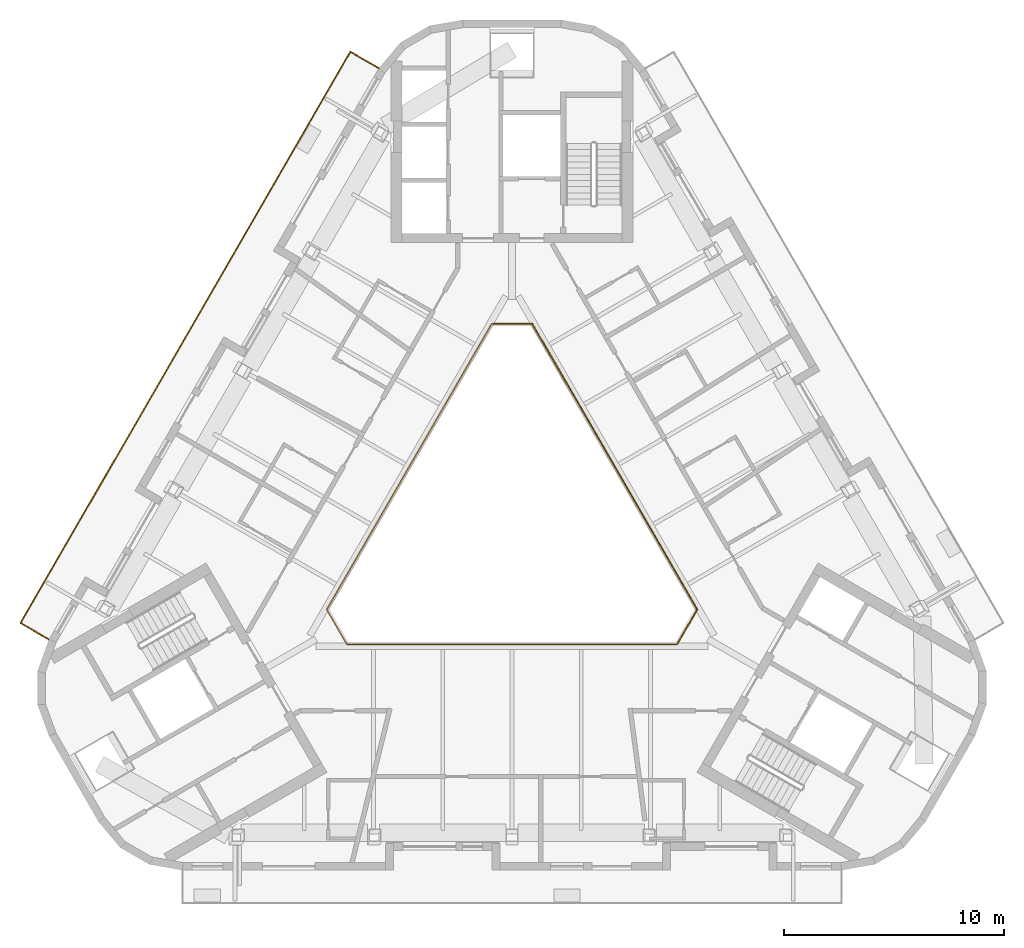
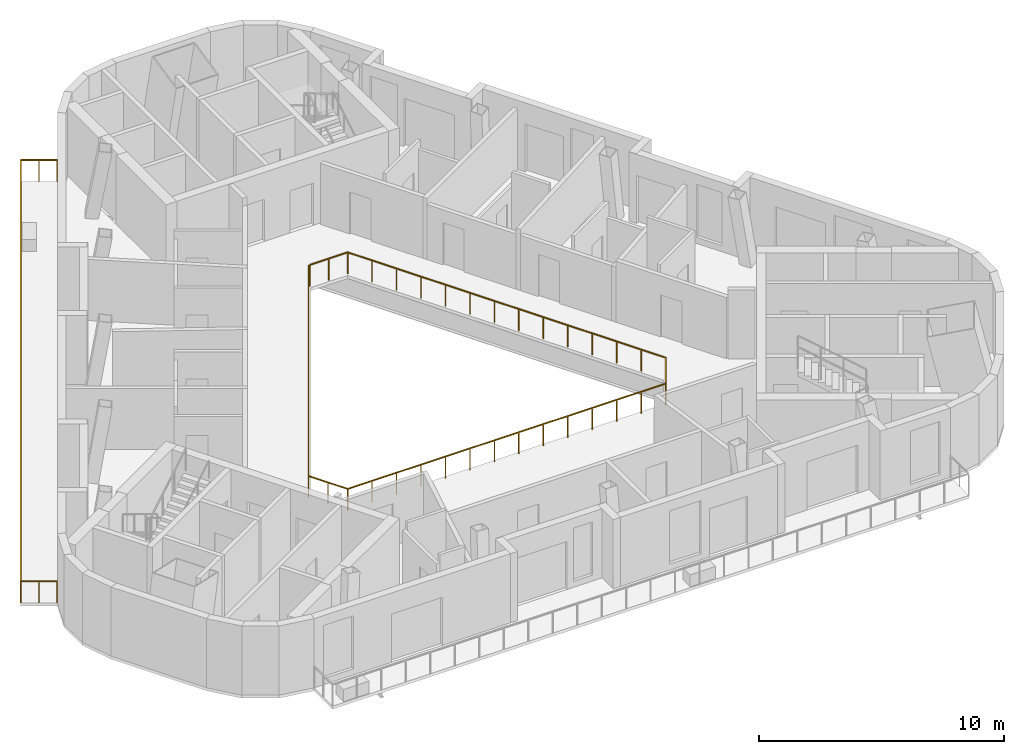
# One storey, part 9 of 11: 3 railings.
"""IFC4 building model written with IfcOpenShell, lengths in metres."""

from ifc_helpers import new_model, si_unit, direction, frame, origin, origin_2d, place, context, subcontext, project, spatial, rectangle, extrude, material, type_object, element, save


model = new_model("IFC4")

# Units and contexts
model_context = context("Model", 3, precision=1e-05, world=origin(), true_north=direction((0.0, 1.0)))
body_context = subcontext(model_context, "Body", "Model", "MODEL_VIEW")
ifc_project = project(units=[si_unit("LENGTHUNIT", "METRE"), si_unit("AREAUNIT", "SQUARE_METRE"), si_unit("VOLUMEUNIT", "CUBIC_METRE"), si_unit("PLANEANGLEUNIT", "RADIAN"), si_unit("MASSUNIT", "GRAM", prefix="KILO")], contexts=[model_context])

# Site, building, storey
site_placement = place(None, origin())
site = spatial("IfcSite", under=ifc_project, at=site_placement, CompositionType="ELEMENT")
building_placement = place(site_placement, origin())
building = spatial("IfcBuilding", under=site, at=building_placement, Name="Apuvela Tower Hotel", CompositionType="ELEMENT")
storey_placement = place(building_placement, frame((0.0, 0.0, 328.10009765625)))
storey = spatial("IfcBuildingStorey", under=building, at=storey_placement, Name="L82", CompositionType="ELEMENT", Elevation=328.10009765625)

# Railings
ifc_material = material(Name="Stainless steel 316 rail with laminated glass infill", Category="steel")
railing_type = type_object("IfcRailingType", Name="ENV-GUARD-1100", PredefinedType="GUARDRAIL", material=ifc_material)
railing_1_placement = place(storey_placement, frame((-6.056884765625, 20.830078125, 0.0)))
element("IfcRailing", 1, at=railing_1_placement, inside=storey, type_object=railing_type, Name="Balcony guard NW L82", PredefinedType="GUARDRAIL", context=body_context, shape_type="SweptSolid", body=[
    extrude(rectangle(XDim=0.050048828125, YDim=0.050048828125, at=origin_2d()), frame((0.0, 0.0, 1.0751953125), z_axis=(-0.866031096941, 0.499990139034, 0.0), x_axis=(-0.499990139034, -0.866031096941, 0.0)), (0.0, 0.0, 1.0), 1.5),
    extrude(rectangle(XDim=0.050048828125, YDim=0.050048828125, at=origin_2d()), frame((-1.299072265625, 0.75, 1.0751953125), z_axis=(-0.499994407638, -0.866028632512, 0.0), x_axis=(0.866028632512, -0.499994407638, 0.0)), (0.0, 0.0, 1.0), 30.021728515625),
    extrude(rectangle(XDim=0.050048828125, YDim=0.050048828125, at=origin_2d()), frame((-16.309814453125, -25.249755859375, 1.0751953125), z_axis=(0.866031096941, -0.499990139034, 0.0), x_axis=(0.499990139034, 0.866031096941, 0.0)), (0.0, 0.0, 1.0), 1.5),
    extrude(rectangle(XDim=0.0400390625, YDim=0.0400390625, at=origin_2d()), origin(), (0.0, 0.0, 1.0), 1.050048828125),
    extrude(rectangle(XDim=0.0400390625, YDim=0.0400390625, at=origin_2d()), frame((-0.6494140625, 0.375, 0.0)), (0.0, 0.0, 1.0), 1.050048828125),
    extrude(rectangle(XDim=0.0400390625, YDim=0.0400390625, at=origin_2d()), frame((-1.299072265625, 0.75, 0.0)), (0.0, 0.0, 1.0), 1.050048828125),
    extrude(rectangle(XDim=0.0400390625, YDim=0.0400390625, at=origin_2d()), frame((-1.87646484375, -0.25, 0.0)), (0.0, 0.0, 1.0), 1.050048828125),
    extrude(rectangle(XDim=0.0400390625, YDim=0.0400390625, at=origin_2d()), frame((-2.453857421875, -1.25, 0.0)), (0.0, 0.0, 1.0), 1.050048828125),
    extrude(rectangle(XDim=0.0400390625, YDim=0.0400390625, at=origin_2d()), frame((-3.031005859375, -2.25, 0.0)), (0.0, 0.0, 1.0), 1.050048828125),
    extrude(rectangle(XDim=0.0400390625, YDim=0.0400390625, at=origin_2d()), frame((-3.6083984375, -3.25, 0.0)), (0.0, 0.0, 1.0), 1.050048828125),
    extrude(rectangle(XDim=0.0400390625, YDim=0.0400390625, at=origin_2d()), frame((-4.185791015625, -4.25, 0.0)), (0.0, 0.0, 1.0), 1.050048828125),
    extrude(rectangle(XDim=0.0400390625, YDim=0.0400390625, at=origin_2d()), frame((-4.76318359375, -5.25, 0.0)), (0.0, 0.0, 1.0), 1.050048828125),
    extrude(rectangle(XDim=0.0400390625, YDim=0.0400390625, at=origin_2d()), frame((-5.34033203125, -6.25, 0.0)), (0.0, 0.0, 1.0), 1.050048828125),
    extrude(rectangle(XDim=0.0400390625, YDim=0.0400390625, at=origin_2d()), frame((-5.917724609375, -7.25, 0.0)), (0.0, 0.0, 1.0), 1.050048828125),
    extrude(rectangle(XDim=0.0400390625, YDim=0.0400390625, at=origin_2d()), frame((-6.4951171875, -8.25, 0.0)), (0.0, 0.0, 1.0), 1.050048828125),
    extrude(rectangle(XDim=0.0400390625, YDim=0.0400390625, at=origin_2d()), frame((-7.072509765625, -9.25, 0.0)), (0.0, 0.0, 1.0), 1.050048828125),
    extrude(rectangle(XDim=0.0400390625, YDim=0.0400390625, at=origin_2d()), frame((-7.649658203125, -10.25, 0.0)), (0.0, 0.0, 1.0), 1.050048828125),
    extrude(rectangle(XDim=0.0400390625, YDim=0.0400390625, at=origin_2d()), frame((-8.22705078125, -11.25, 0.0)), (0.0, 0.0, 1.0), 1.050048828125),
    extrude(rectangle(XDim=0.0400390625, YDim=0.0400390625, at=origin_2d()), frame((-8.804443359375, -12.25, 0.0)), (0.0, 0.0, 1.0), 1.050048828125),
    extrude(rectangle(XDim=0.0400390625, YDim=0.0400390625, at=origin_2d()), frame((-9.3818359375, -13.249755859375, 0.0)), (0.0, 0.0, 1.0), 1.050048828125),
    extrude(rectangle(XDim=0.0400390625, YDim=0.0400390625, at=origin_2d()), frame((-9.959228515625, -14.249755859375, 0.0)), (0.0, 0.0, 1.0), 1.050048828125),
    extrude(rectangle(XDim=0.0400390625, YDim=0.0400390625, at=origin_2d()), frame((-10.536376953125, -15.249755859375, 0.0)), (0.0, 0.0, 1.0), 1.050048828125),
    extrude(rectangle(XDim=0.0400390625, YDim=0.0400390625, at=origin_2d()), frame((-11.11376953125, -16.249755859375, 0.0)), (0.0, 0.0, 1.0), 1.050048828125),
    extrude(rectangle(XDim=0.0400390625, YDim=0.0400390625, at=origin_2d()), frame((-11.691162109375, -17.249755859375, 0.0)), (0.0, 0.0, 1.0), 1.050048828125),
    extrude(rectangle(XDim=0.0400390625, YDim=0.0400390625, at=origin_2d()), frame((-12.2685546875, -18.249755859375, 0.0)), (0.0, 0.0, 1.0), 1.050048828125),
    extrude(rectangle(XDim=0.0400390625, YDim=0.0400390625, at=origin_2d()), frame((-12.845703125, -19.249755859375, 0.0)), (0.0, 0.0, 1.0), 1.050048828125),
    extrude(rectangle(XDim=0.0400390625, YDim=0.0400390625, at=origin_2d()), frame((-13.423095703125, -20.249755859375, 0.0)), (0.0, 0.0, 1.0), 1.050048828125),
    extrude(rectangle(XDim=0.0400390625, YDim=0.0400390625, at=origin_2d()), frame((-14.00048828125, -21.249755859375, 0.0)), (0.0, 0.0, 1.0), 1.050048828125),
    extrude(rectangle(XDim=0.0400390625, YDim=0.0400390625, at=origin_2d()), frame((-14.577880859375, -22.249755859375, 0.0)), (0.0, 0.0, 1.0), 1.050048828125),
    extrude(rectangle(XDim=0.0400390625, YDim=0.0400390625, at=origin_2d()), frame((-15.155029296875, -23.249755859375, 0.0)), (0.0, 0.0, 1.0), 1.050048828125),
    extrude(rectangle(XDim=0.0400390625, YDim=0.0400390625, at=origin_2d()), frame((-15.732421875, -24.249755859375, 0.0)), (0.0, 0.0, 1.0), 1.050048828125),
    extrude(rectangle(XDim=0.0400390625, YDim=0.0400390625, at=origin_2d()), frame((-16.309814453125, -25.249755859375, 0.0)), (0.0, 0.0, 1.0), 1.050048828125),
    extrude(rectangle(XDim=0.0400390625, YDim=0.0400390625, at=origin_2d()), frame((-15.66015625, -25.624755859375, 0.0)), (0.0, 0.0, 1.0), 1.050048828125),
    extrude(rectangle(XDim=0.0400390625, YDim=0.0400390625, at=origin_2d()), frame((-15.0107421875, -25.999755859375, 0.0)), (0.0, 0.0, 1.0), 1.050048828125),
])
railing_2_placement = place(storey_placement, frame((-0.923828125, 9.199951171875, 0.0)))
element("IfcRailing", 2, at=railing_2_placement, inside=storey, type_object=railing_type, Name="Atrium void guard A L82", PredefinedType="GUARDRAIL", context=body_context, shape_type="SweptSolid", body=[
    extrude(rectangle(XDim=0.050048828125, YDim=0.050048828125, at=origin_2d()), frame((0.0, 0.0, 1.0751953125), z_axis=(-0.499990886379, -0.866030665472, 0.0), x_axis=(0.866030665472, -0.499990886379, 0.0)), (0.0, 0.0, 1.0), 15.010986328125),
    extrude(rectangle(XDim=0.050048828125, YDim=0.050048828125, at=origin_2d()), frame((-7.50537109375, -13.0, 1.0751953125), z_axis=(0.499962699187, -0.866046938348, 0.0), x_axis=(0.866046938348, 0.499962699187, 0.0)), (0.0, 0.0, 1.0), 1.847412109375),
    extrude(rectangle(XDim=0.050048828125, YDim=0.050048828125, at=origin_2d()), frame((-6.581787109375, -14.599853515625, 1.0751953125), z_axis=(1.0, 0.0, 0.0), x_axis=(0.0, 1.0, 0.0)), (0.0, 0.0, 1.0), 15.01123046875),
    extrude(rectangle(XDim=0.0400390625, YDim=0.0400390625, at=origin_2d()), origin(), (0.0, 0.0, 1.0), 1.050048828125),
    extrude(rectangle(XDim=0.0400390625, YDim=0.0400390625, at=origin_2d()), frame((-0.577392578125, -1.0, 0.0)), (0.0, 0.0, 1.0), 1.050048828125),
    extrude(rectangle(XDim=0.0400390625, YDim=0.0400390625, at=origin_2d()), frame((-1.15478515625, -2.0, 0.0)), (0.0, 0.0, 1.0), 1.050048828125),
    extrude(rectangle(XDim=0.0400390625, YDim=0.0400390625, at=origin_2d()), frame((-1.73193359375, -3.0, 0.0)), (0.0, 0.0, 1.0), 1.050048828125),
    extrude(rectangle(XDim=0.0400390625, YDim=0.0400390625, at=origin_2d()), frame((-2.309326171875, -4.0, 0.0)), (0.0, 0.0, 1.0), 1.050048828125),
    extrude(rectangle(XDim=0.0400390625, YDim=0.0400390625, at=origin_2d()), frame((-2.88671875, -5.0, 0.0)), (0.0, 0.0, 1.0), 1.050048828125),
    extrude(rectangle(XDim=0.0400390625, YDim=0.0400390625, at=origin_2d()), frame((-3.464111328125, -6.0, 0.0)), (0.0, 0.0, 1.0), 1.050048828125),
    extrude(rectangle(XDim=0.0400390625, YDim=0.0400390625, at=origin_2d()), frame((-4.041259765625, -7.0, 0.0)), (0.0, 0.0, 1.0), 1.050048828125),
    extrude(rectangle(XDim=0.0400390625, YDim=0.0400390625, at=origin_2d()), frame((-4.61865234375, -8.0, 0.0)), (0.0, 0.0, 1.0), 1.050048828125),
    extrude(rectangle(XDim=0.0400390625, YDim=0.0400390625, at=origin_2d()), frame((-5.196044921875, -9.0, 0.0)), (0.0, 0.0, 1.0), 1.050048828125),
    extrude(rectangle(XDim=0.0400390625, YDim=0.0400390625, at=origin_2d()), frame((-5.7734375, -10.0, 0.0)), (0.0, 0.0, 1.0), 1.050048828125),
    extrude(rectangle(XDim=0.0400390625, YDim=0.0400390625, at=origin_2d()), frame((-6.3505859375, -11.0, 0.0)), (0.0, 0.0, 1.0), 1.050048828125),
    extrude(rectangle(XDim=0.0400390625, YDim=0.0400390625, at=origin_2d()), frame((-6.927978515625, -12.0, 0.0)), (0.0, 0.0, 1.0), 1.050048828125),
    extrude(rectangle(XDim=0.0400390625, YDim=0.0400390625, at=origin_2d()), frame((-7.50537109375, -13.0, 0.0)), (0.0, 0.0, 1.0), 1.050048828125),
    extrude(rectangle(XDim=0.0400390625, YDim=0.0400390625, at=origin_2d()), frame((-7.04345703125, -13.7998046875, 0.0)), (0.0, 0.0, 1.0), 1.050048828125),
    extrude(rectangle(XDim=0.0400390625, YDim=0.0400390625, at=origin_2d()), frame((-6.581787109375, -14.599853515625, 0.0)), (0.0, 0.0, 1.0), 1.050048828125),
    extrude(rectangle(XDim=0.0400390625, YDim=0.0400390625, at=origin_2d()), frame((-5.427001953125, -14.599853515625, 0.0)), (0.0, 0.0, 1.0), 1.050048828125),
    extrude(rectangle(XDim=0.0400390625, YDim=0.0400390625, at=origin_2d()), frame((-4.2724609375, -14.599853515625, 0.0)), (0.0, 0.0, 1.0), 1.050048828125),
    extrude(rectangle(XDim=0.0400390625, YDim=0.0400390625, at=origin_2d()), frame((-3.11767578125, -14.599853515625, 0.0)), (0.0, 0.0, 1.0), 1.050048828125),
    extrude(rectangle(XDim=0.0400390625, YDim=0.0400390625, at=origin_2d()), frame((-1.962890625, -14.599853515625, 0.0)), (0.0, 0.0, 1.0), 1.050048828125),
    extrude(rectangle(XDim=0.0400390625, YDim=0.0400390625, at=origin_2d()), frame((-0.808349609375, -14.599853515625, 0.0)), (0.0, 0.0, 1.0), 1.050048828125),
    extrude(rectangle(XDim=0.0400390625, YDim=0.0400390625, at=origin_2d()), frame((0.346435546875, -14.599853515625, 0.0)), (0.0, 0.0, 1.0), 1.050048828125),
    extrude(rectangle(XDim=0.0400390625, YDim=0.0400390625, at=origin_2d()), frame((1.501220703125, -14.599853515625, 0.0)), (0.0, 0.0, 1.0), 1.050048828125),
    extrude(rectangle(XDim=0.0400390625, YDim=0.0400390625, at=origin_2d()), frame((2.656005859375, -14.599853515625, 0.0)), (0.0, 0.0, 1.0), 1.050048828125),
    extrude(rectangle(XDim=0.0400390625, YDim=0.0400390625, at=origin_2d()), frame((3.810546875, -14.599853515625, 0.0)), (0.0, 0.0, 1.0), 1.050048828125),
    extrude(rectangle(XDim=0.0400390625, YDim=0.0400390625, at=origin_2d()), frame((4.96533203125, -14.599853515625, 0.0)), (0.0, 0.0, 1.0), 1.050048828125),
    extrude(rectangle(XDim=0.0400390625, YDim=0.0400390625, at=origin_2d()), frame((6.1201171875, -14.599853515625, 0.0)), (0.0, 0.0, 1.0), 1.050048828125),
    extrude(rectangle(XDim=0.0400390625, YDim=0.0400390625, at=origin_2d()), frame((7.274658203125, -14.599853515625, 0.0)), (0.0, 0.0, 1.0), 1.050048828125),
    extrude(rectangle(XDim=0.0400390625, YDim=0.0400390625, at=origin_2d()), frame((8.429443359375, -14.599853515625, 0.0)), (0.0, 0.0, 1.0), 1.050048828125),
])
railing_3_placement = place(storey_placement, frame((7.53564453125, -5.347900390625, 0.0)))
element("IfcRailing", 3, at=railing_3_placement, inside=storey, type_object=railing_type, Name="Atrium void guard B L82", PredefinedType="GUARDRAIL", context=body_context, shape_type="SweptSolid", body=[
    extrude(rectangle(XDim=0.050048828125, YDim=0.050048828125, at=origin_2d()), frame((0.0, 0.0, 1.0751953125), z_axis=(0.499958946799, 0.866049104564, 0.0), x_axis=(-0.866049104564, 0.499958946799, 0.0)), (0.0, 0.0, 1.0), 1.787353515625),
    extrude(rectangle(XDim=0.050048828125, YDim=0.050048828125, at=origin_2d()), frame((0.8935546875, 1.5478515625, 1.0751953125), z_axis=(-0.499990886379, 0.866030665472, 0.0), x_axis=(-0.866030665472, -0.499990886379, 0.0)), (0.0, 0.0, 1.0), 15.010986328125),
    extrude(rectangle(XDim=0.050048828125, YDim=0.050048828125, at=origin_2d()), frame((-6.61181640625, 14.5478515625, 1.0751953125), z_axis=(-1.0, 0.0, 0.0), x_axis=(0.0, -1.0, 0.0)), (0.0, 0.0, 1.0), 1.78759765625),
    extrude(rectangle(XDim=0.0400390625, YDim=0.0400390625, at=origin_2d()), origin(), (0.0, 0.0, 1.0), 1.050048828125),
    extrude(rectangle(XDim=0.0400390625, YDim=0.0400390625, at=origin_2d()), frame((0.44677734375, 0.77392578125, 0.0)), (0.0, 0.0, 1.0), 1.050048828125),
    extrude(rectangle(XDim=0.0400390625, YDim=0.0400390625, at=origin_2d()), frame((0.8935546875, 1.5478515625, 0.0)), (0.0, 0.0, 1.0), 1.050048828125),
    extrude(rectangle(XDim=0.0400390625, YDim=0.0400390625, at=origin_2d()), frame((0.316162109375, 2.5478515625, 0.0)), (0.0, 0.0, 1.0), 1.050048828125),
    extrude(rectangle(XDim=0.0400390625, YDim=0.0400390625, at=origin_2d()), frame((-0.26123046875, 3.5478515625, 0.0)), (0.0, 0.0, 1.0), 1.050048828125),
    extrude(rectangle(XDim=0.0400390625, YDim=0.0400390625, at=origin_2d()), frame((-0.83837890625, 4.5478515625, 0.0)), (0.0, 0.0, 1.0), 1.050048828125),
    extrude(rectangle(XDim=0.0400390625, YDim=0.0400390625, at=origin_2d()), frame((-1.415771484375, 5.5478515625, 0.0)), (0.0, 0.0, 1.0), 1.050048828125),
    extrude(rectangle(XDim=0.0400390625, YDim=0.0400390625, at=origin_2d()), frame((-1.9931640625, 6.5478515625, 0.0)), (0.0, 0.0, 1.0), 1.050048828125),
    extrude(rectangle(XDim=0.0400390625, YDim=0.0400390625, at=origin_2d()), frame((-2.570556640625, 7.5478515625, 0.0)), (0.0, 0.0, 1.0), 1.050048828125),
    extrude(rectangle(XDim=0.0400390625, YDim=0.0400390625, at=origin_2d()), frame((-3.147705078125, 8.5478515625, 0.0)), (0.0, 0.0, 1.0), 1.050048828125),
    extrude(rectangle(XDim=0.0400390625, YDim=0.0400390625, at=origin_2d()), frame((-3.72509765625, 9.5478515625, 0.0)), (0.0, 0.0, 1.0), 1.050048828125),
    extrude(rectangle(XDim=0.0400390625, YDim=0.0400390625, at=origin_2d()), frame((-4.302490234375, 10.5478515625, 0.0)), (0.0, 0.0, 1.0), 1.050048828125),
    extrude(rectangle(XDim=0.0400390625, YDim=0.0400390625, at=origin_2d()), frame((-4.8798828125, 11.5478515625, 0.0)), (0.0, 0.0, 1.0), 1.050048828125),
    extrude(rectangle(XDim=0.0400390625, YDim=0.0400390625, at=origin_2d()), frame((-5.45703125, 12.5478515625, 0.0)), (0.0, 0.0, 1.0), 1.050048828125),
    extrude(rectangle(XDim=0.0400390625, YDim=0.0400390625, at=origin_2d()), frame((-6.034423828125, 13.5478515625, 0.0)), (0.0, 0.0, 1.0), 1.050048828125),
    extrude(rectangle(XDim=0.0400390625, YDim=0.0400390625, at=origin_2d()), frame((-6.61181640625, 14.5478515625, 0.0)), (0.0, 0.0, 1.0), 1.050048828125),
    extrude(rectangle(XDim=0.0400390625, YDim=0.0400390625, at=origin_2d()), frame((-7.505615234375, 14.5478515625, 0.0)), (0.0, 0.0, 1.0), 1.050048828125),
    extrude(rectangle(XDim=0.0400390625, YDim=0.0400390625, at=origin_2d()), frame((-8.3994140625, 14.5478515625, 0.0)), (0.0, 0.0, 1.0), 1.050048828125),
])

save(model, "model.ifc")
